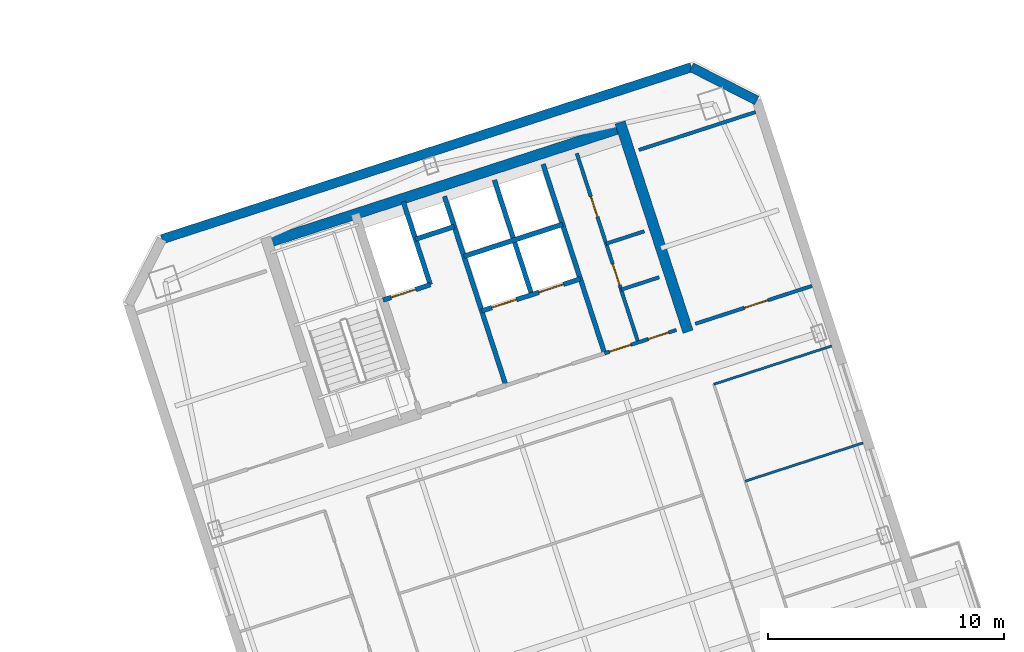
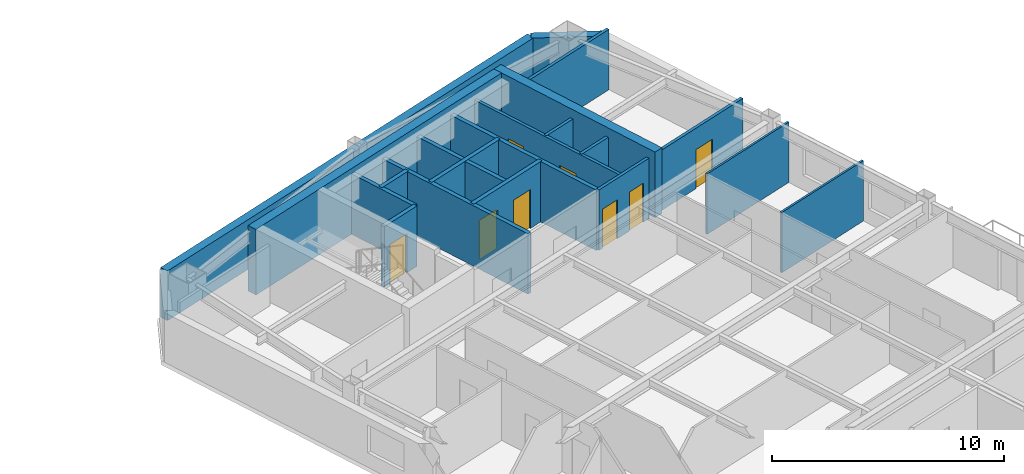
# One storey, part 10 of 15: 20 walls, 8 doors, 8 openings.
"""IFC4 building model written with IfcOpenShell, lengths in metres."""

from ifc_helpers import new_model, si_unit, direction, frame, frame_2d, origin, place, context, subcontext, project, spatial, rectangle, extrude, material, layer, layer_set, type_object, element, fill, save


model = new_model("IFC4")

# Units and contexts
model_context = context("Model", 3, precision=1e-05, world=origin(), true_north=direction((0.0, 1.0)))
body_context = subcontext(model_context, "Body", "Model", "MODEL_VIEW")
ifc_project = project(units=[si_unit("LENGTHUNIT", "METRE"), si_unit("AREAUNIT", "SQUARE_METRE"), si_unit("VOLUMEUNIT", "CUBIC_METRE"), si_unit("PLANEANGLEUNIT", "RADIAN"), si_unit("MASSUNIT", "GRAM", prefix="KILO")], contexts=[model_context])

# Site, building, storey
site_placement = place(None, origin())
site = spatial("IfcSite", under=ifc_project, at=site_placement, CompositionType="ELEMENT")
building_placement = place(site_placement, origin())
building = spatial("IfcBuilding", under=site, at=building_placement, Name="Qiaolan Cultural Towers", CompositionType="ELEMENT")
storey_placement = place(building_placement, frame((0.0, 0.0, 209.300048828125)))
storey = spatial("IfcBuildingStorey", under=building, at=storey_placement, Name="L56", CompositionType="ELEMENT", Elevation=209.300048828125)

# Walls
ifc_material_1 = material(Name="Concrete C50", Category="concrete")
ifc_layer_1 = layer(ifc_material_1, 0.449951171875)
ifc_layer_set_1 = layer_set([ifc_layer_1], Name="Concrete C50")
wall_type_1 = type_object("IfcWallType", Name="WL-CORE-450", PredefinedType="SHEAR", material=ifc_layer_set_1)
wall_1_placement = place(storey_placement, frame((76.414794921875, 50.489013671875, 0.0), z_axis=(0.0, 0.0, 1.0), x_axis=(0.951056810414, 0.309016089169, 0.0)))
element("IfcWall", 1, at=wall_1_placement, inside=storey, type_object=wall_type_1, Name="L56 T2-CN Outer Core Shear Wall", PredefinedType="SHEAR", context=body_context, shape_type="SweptSolid", body=[
    extrude(rectangle(XDim=16.25, YDim=0.449951171875, at=frame_2d((8.125, 0.0))), origin(), (0.0, 0.0, 1.0), 3.449951171875),
])
wall_2_placement = place(storey_placement, frame((94.468994140625, 46.781494140625, 0.0), z_axis=(0.0, 0.0, 1.0), x_axis=(-0.309004419953, 0.951060601881, 0.0)))
element("IfcWall", 2, at=wall_2_placement, inside=storey, type_object=wall_type_1, Name="L56 T2-CN East Core Shear Wall", PredefinedType="SHEAR", context=body_context, shape_type="SweptSolid", body=[
    extrude(rectangle(XDim=9.330078125, YDim=0.449951171875, at=frame_2d((4.6650390625, 0.0))), origin(), (0.0, 0.0, 1.0), 3.449951171875),
])
ifc_material_2 = material(Name="Precast Concrete C50 Honed Stone Pier", Category="masonry")
ifc_layer_2 = layer(ifc_material_2, 0.39990234375)
ifc_layer_set_2 = layer_set([ifc_layer_2], Name="Precast Concrete C50 Honed Stone Pier")
wall_type_2 = type_object("IfcWallType", Name="WL-EXT-PIER-400", PredefinedType="SOLIDWALL", material=ifc_layer_set_2)
wall_3_placement = place(storey_placement, frame((72.16455078125, 50.706298828125, 0.0), z_axis=(0.0, 0.0, 1.0), x_axis=(0.951058012937, 0.309012388148, 0.0)))
element("IfcWall", 3, at=wall_3_placement, inside=storey, type_object=wall_type_2, Name="L56 East Tower Precast Pier Facade Wall F3", PredefinedType="SOLIDWALL", context=body_context, shape_type="SweptSolid", body=[
    extrude(rectangle(XDim=23.60009765625, YDim=0.39990234375, at=frame_2d((11.800048828125, 0.0))), origin(), (0.0, 0.0, 1.0), 2.60986328125),
])
wall_4_placement = place(storey_placement, frame((94.609619140625, 57.9990234375, 0.0), z_axis=(0.0, 0.0, 1.0), x_axis=(0.890979603174, -0.454043331334, 0.0)))
element("IfcWall", 4, at=wall_4_placement, inside=storey, type_object=wall_type_2, Name="L56 East Tower Precast Pier Facade Wall F4", PredefinedType="SOLIDWALL", context=body_context, shape_type="SweptSolid", body=[
    extrude(rectangle(XDim=3.111083984375, YDim=0.39990234375, at=frame_2d((1.5556640625, 0.0))), origin(), (0.0, 0.0, 1.0), 2.60986328125),
])
ifc_material_3 = material(Name="Concrete C35 Fire Wall", Category="concrete")
ifc_layer_3 = layer(ifc_material_3, 0.199951171875)
ifc_layer_set_3 = layer_set([ifc_layer_3], Name="Concrete C35 Fire Wall")
wall_type_3 = type_object("IfcWallType", Name="WL-FIRE-200", PredefinedType="PARTITIONING", material=ifc_layer_set_3)
wall_5_placement = place(storey_placement, frame((86.743408203125, 44.508056640625, 0.0), z_axis=(0.0, 0.0, 1.0), x_axis=(-0.309016001439, 0.951056838919, 0.0)))
element("IfcWall", 5, at=wall_5_placement, inside=storey, type_object=wall_type_3, Name="L56 T2-CN Firefighting Zone Wall", PredefinedType="PARTITIONING", context=body_context, shape_type="SweptSolid", body=[
    extrude(rectangle(XDim=8.429931640625, YDim=0.199951171875, at=frame_2d((4.21484375, 0.0))), origin(), (0.0, 0.0, 1.0), 3.175048828125),
])

# Wall, opening, door
wall_6_placement = place(storey_placement, frame((81.540283203125, 48.127197265625, 0.0), z_axis=(0.0, 0.0, 1.0), x_axis=(0.951062257173, 0.308999325213, 0.0)))
wall_6 = element("IfcWall", 6, at=wall_6_placement, inside=storey, type_object=wall_type_3, Name="L56 T2-CN Firefighting Shaft Front Wall", PredefinedType="PARTITIONING", context=body_context, shape_type="SweptSolid", body=[
    extrude(rectangle(XDim=2.10009765625, YDim=0.199951171875, at=frame_2d((1.050048828125, 0.0))), origin(), (0.0, 0.0, 1.0), 3.175048828125),
])
opening_1_placement = place(wall_6_placement, frame((0.35009765625, 0.0, 0.0)))
opening_1 = element("IfcOpeningElement", 7, at=opening_1_placement, cuts=wall_6, Name="Opening LD-01", PredefinedType="OPENING", context=body_context, shape_type="SweptSolid", body=[
    extrude(rectangle(XDim=1.10009765625, YDim=2.050048828125, at=frame_2d((0.550048828125, 1.02490234375))), frame((0.0, 0.10986328125, 0.0), z_axis=(0.0, -1.0, 0.0), x_axis=(1.0, 0.0, 0.0)), (0.0, 0.0, 1.0), 0.219970703125),
])
ifc_material_4 = material(Name="Brushed Stainless Steel S30408 Centre-Parting Lift Landing Door", Category="steel")
door_type_1 = type_object("IfcDoorType", Name="DR-LIFT-1100", OperationType="NOTDEFINED", PredefinedType="DOOR", material=ifc_material_4)
door_1_placement = place(opening_1_placement, origin())
door_1 = element("IfcDoor", 8, at=door_1_placement, inside=storey, type_object=door_type_1, Name="L56 FFL-E2 Firefighting Lift Landing Door", OperationType="DOUBLE_DOOR_SLIDING", OverallHeight=2.050048828125, OverallWidth=1.10009765625, PredefinedType="DOOR", context=body_context, shape_type="SweptSolid", body=[
    extrude(rectangle(XDim=1.10009765625, YDim=2.050048828125, at=frame_2d((0.550048828125, 1.02490234375))), frame((0.0, 0.02490234375, 0.0), z_axis=(0.0, -1.0, 0.0), x_axis=(1.0, 0.0, 0.0)), (0.0, 0.0, 1.0), 0.050048828125),
])
fill(opening_1, door_1)

# Walls
wall_7_placement = place(storey_placement, frame((83.53759765625, 48.776123046875, 0.0), z_axis=(0.0, 0.0, 1.0), x_axis=(-0.3089935693, 0.951064127245, 0.0)))
element("IfcWall", 9, at=wall_7_placement, inside=storey, type_object=wall_type_3, Name="L56 T2-CN Firefighting Hoistway East Wall", PredefinedType="PARTITIONING", context=body_context, shape_type="SweptSolid", body=[
    extrude(rectangle(XDim=3.7001953125, YDim=0.199951171875, at=frame_2d((1.85009765625, 0.0))), origin(), (0.0, 0.0, 1.0), 3.175048828125),
])
wall_8_placement = place(storey_placement, frame((82.910400390625, 50.706787109375, 0.0), z_axis=(0.0, 0.0, 1.0), x_axis=(0.951041328149, 0.309063734775, 0.0)))
element("IfcWall", 10, at=wall_8_placement, inside=storey, type_object=wall_type_3, Name="L56 T2-CN Pressurization Shaft Front Wall", PredefinedType="PARTITIONING", context=body_context, shape_type="SweptSolid", body=[
    extrude(rectangle(XDim=1.72998046875, YDim=0.199951171875, at=frame_2d((0.864990234375, 0.0))), origin(), (0.0, 0.0, 1.0), 3.175048828125),
])
wall_9_placement = place(storey_placement, frame((90.92822265625, 45.86767578125, 0.0), z_axis=(0.0, 0.0, 1.0), x_axis=(-0.309042196757, 0.951048327176, 0.0)))
element("IfcWall", 11, at=wall_9_placement, inside=storey, type_object=wall_type_3, Name="L56 T2-CN Lift Core East Wall", PredefinedType="PARTITIONING", context=body_context, shape_type="SweptSolid", body=[
    extrude(rectangle(XDim=8.429931640625, YDim=0.199951171875, at=frame_2d((4.21484375, 0.0))), origin(), (0.0, 0.0, 1.0), 3.175048828125),
])

# Wall, openings, doors
wall_10_placement = place(storey_placement, frame((85.717529296875, 47.66552734375, 0.0), z_axis=(0.0, 0.0, 1.0), x_axis=(0.951058531764, 0.30901079133, 0.0)))
wall_10 = element("IfcWall", 12, at=wall_10_placement, inside=storey, type_object=wall_type_3, Name="L56 T2-CN Passenger Lift Shaft Front Wall", PredefinedType="PARTITIONING", context=body_context, shape_type="SweptSolid", body=[
    extrude(rectangle(XDim=4.39990234375, YDim=0.199951171875, at=frame_2d((2.199951171875, 0.0))), origin(), (0.0, 0.0, 1.0), 3.175048828125),
])
opening_2_placement = place(wall_10_placement, frame((0.449951171875, 0.0, 0.0)))
opening_2 = element("IfcOpeningElement", 13, at=opening_2_placement, cuts=wall_10, Name="Opening LD-01", PredefinedType="OPENING", context=body_context, shape_type="SweptSolid", body=[
    extrude(rectangle(XDim=1.10009765625, YDim=2.050048828125, at=frame_2d((0.550048828125, 1.02490234375))), frame((0.0, 0.10986328125, 0.0), z_axis=(0.0, -1.0, 0.0), x_axis=(1.0, 0.0, 0.0)), (0.0, 0.0, 1.0), 0.219970703125),
])
opening_3_placement = place(wall_10_placement, frame((2.550048828125, 0.0, 0.0)))
opening_3 = element("IfcOpeningElement", 14, at=opening_3_placement, cuts=wall_10, Name="Opening LD-01", PredefinedType="OPENING", context=body_context, shape_type="SweptSolid", body=[
    extrude(rectangle(XDim=1.10009765625, YDim=2.050048828125, at=frame_2d((0.550048828125, 1.02490234375))), frame((0.0, 0.10986328125, 0.0), z_axis=(0.0, -1.0, 0.0), x_axis=(1.0, 0.0, 0.0)), (0.0, 0.0, 1.0), 0.219970703125),
])
door_2_placement = place(opening_2_placement, origin())
door_2 = element("IfcDoor", 15, at=door_2_placement, inside=storey, type_object=door_type_1, Name="L56 Passenger Lift 1 Landing Door", OperationType="DOUBLE_DOOR_SLIDING", OverallHeight=2.050048828125, OverallWidth=1.10009765625, PredefinedType="DOOR", context=body_context, shape_type="SweptSolid", body=[
    extrude(rectangle(XDim=1.10009765625, YDim=2.050048828125, at=frame_2d((0.550048828125, 1.02490234375))), frame((0.0, 0.02490234375, 0.0), z_axis=(0.0, -1.0, 0.0), x_axis=(1.0, 0.0, 0.0)), (0.0, 0.0, 1.0), 0.050048828125),
])
fill(opening_2, door_2)
door_3_placement = place(opening_3_placement, origin())
door_3 = element("IfcDoor", 16, at=door_3_placement, inside=storey, type_object=door_type_1, Name="L56 Passenger Lift 2 Landing Door", OperationType="DOUBLE_DOOR_SLIDING", OverallHeight=2.050048828125, OverallWidth=1.10009765625, PredefinedType="DOOR", context=body_context, shape_type="SweptSolid", body=[
    extrude(rectangle(XDim=1.10009765625, YDim=2.050048828125, at=frame_2d((0.550048828125, 1.02490234375))), frame((0.0, 0.02490234375, 0.0), z_axis=(0.0, -1.0, 0.0), x_axis=(1.0, 0.0, 0.0)), (0.0, 0.0, 1.0), 0.050048828125),
])
fill(opening_3, door_3)

# Walls
wall_11_placement = place(storey_placement, frame((87.83837890625, 48.3544921875, 0.0), z_axis=(0.0, 0.0, 1.0), x_axis=(-0.3090093719, 0.951058992953, 0.0)))
element("IfcWall", 17, at=wall_11_placement, inside=storey, type_object=wall_type_3, Name="L56 T2-CN Lift Shaft Divider Wall", PredefinedType="PARTITIONING", context=body_context, shape_type="SweptSolid", body=[
    extrude(rectangle(XDim=5.110107421875, YDim=0.199951171875, at=frame_2d((2.55517578125, 0.0))), origin(), (0.0, 0.0, 1.0), 3.175048828125),
])
wall_12_placement = place(storey_placement, frame((84.966552734375, 49.9765625, 0.0), z_axis=(0.0, 0.0, 1.0), x_axis=(0.951063829732, 0.308994485023, 0.0)))
element("IfcWall", 18, at=wall_12_placement, inside=storey, type_object=wall_type_3, Name="L56 T2-CN Passenger Lift Shaft Back Wall", PredefinedType="PARTITIONING", context=body_context, shape_type="SweptSolid", body=[
    extrude(rectangle(XDim=4.400146484375, YDim=0.199951171875, at=frame_2d((2.2001953125, 0.0))), origin(), (0.0, 0.0, 1.0), 3.175048828125),
])
ifc_material_5 = material(Name="Acoustic Double-Glazed Partition Frame", Category="glass")
ifc_layer_4 = layer(ifc_material_5, 0.10009765625)
ifc_layer_set_4 = layer_set([ifc_layer_4], Name="Acoustic Double-Glazed Partition Frame")
wall_type_4 = type_object("IfcWallType", Name="WL-GLAZED-100", PredefinedType="MOVABLE", material=ifc_layer_set_4)
for number, where, z_axis, x_axis, name in (
    (19, (95.560546875, 44.554931640625, 0.0), (0.0, 0.0, 1.0), (0.951055596592, 0.309019824916, 0.0), "L56 T2 Interior Wall"),
    (20, (96.8955078125, 40.4462890625, 0.0), (0.0, 0.0, 1.0), (0.951055596592, 0.309019824916, 0.0), "L56 T2 Interior Wall"),
):
    element("IfcWall", number, at=place(storey_placement, frame(where, z_axis=z_axis, x_axis=x_axis)), inside=storey, type_object=wall_type_4, Name=name, PredefinedType="MOVABLE", context=body_context, shape_type="SweptSolid", body=[
        extrude(rectangle(XDim=5.249755859375, YDim=0.10009765625, at=frame_2d((2.625, 0.0))), origin(), (0.0, 0.0, 1.0), 3.175048828125),
    ])

# Wall, openings, doors
ifc_material_6 = material(Name="Autoclaved Aerated Concrete Block B06", Category="concrete")
ifc_layer_5 = layer(ifc_material_6, 0.14990234375)
ifc_layer_set_5 = layer_set([ifc_layer_5], Name="Autoclaved Aerated Concrete Block B06")
wall_type_5 = type_object("IfcWallType", Name="WL-PART-150", PredefinedType="PARTITIONING", material=ifc_layer_set_5)
wall_13_placement = place(storey_placement, frame((90.92822265625, 45.86767578125, 0.0), z_axis=(0.0, 0.0, 1.0), x_axis=(0.951059297078, 0.309008435874, 0.0)))
wall_13 = element("IfcWall", 21, at=wall_13_placement, inside=storey, type_object=wall_type_5, Name="L56 T2-CN Sanitary Core Front Wall", PredefinedType="PARTITIONING", context=body_context, shape_type="SweptSolid", body=[
    extrude(rectangle(XDim=3.19970703125, YDim=0.14990234375, at=frame_2d((1.599853515625, 0.0))), origin(), (0.0, 0.0, 1.0), 3.175048828125),
])
opening_4_placement = place(wall_13_placement, frame((0.219970703125, 0.0, 0.0)))
opening_4 = element("IfcOpeningElement", 22, at=opening_4_placement, cuts=wall_13, Name="Opening ID-05", PredefinedType="OPENING", context=body_context, shape_type="SweptSolid", body=[
    extrude(rectangle(XDim=0.949951171875, YDim=2.050048828125, at=frame_2d((0.47509765625, 1.02490234375))), frame((0.0, 0.0849609375, 0.0), z_axis=(0.0, -1.0, 0.0), x_axis=(1.0, 0.0, 0.0)), (0.0, 0.0, 1.0), 0.169921875),
])
opening_5_placement = place(wall_13_placement, frame((1.949951171875, 0.0, 0.0)))
opening_5 = element("IfcOpeningElement", 23, at=opening_5_placement, cuts=wall_13, Name="Opening ID-06", PredefinedType="OPENING", context=body_context, shape_type="SweptSolid", body=[
    extrude(rectangle(XDim=0.89990234375, YDim=2.050048828125, at=frame_2d((0.449951171875, 1.02490234375))), frame((0.0, 0.0849609375, 0.0), z_axis=(0.0, -1.0, 0.0), x_axis=(1.0, 0.0, 0.0)), (0.0, 0.0, 1.0), 0.169921875),
])
ifc_material_7 = material(Name="Fire-Rated Laminate Core Service Door", Category="timber")
door_type_2 = type_object("IfcDoorType", Name="DR-INT-900", OperationType="NOTDEFINED", PredefinedType="DOOR", material=ifc_material_7)
door_4_placement = place(opening_5_placement, origin())
door_4 = element("IfcDoor", 24, at=door_4_placement, inside=storey, type_object=door_type_2, Name="L56 Core Tea Pantry Door", OperationType="SINGLE_SWING_RIGHT", OverallHeight=2.050048828125, OverallWidth=0.89990234375, PredefinedType="DOOR", context=body_context, shape_type="SweptSolid", body=[
    extrude(rectangle(XDim=0.89990234375, YDim=2.050048828125, at=frame_2d((0.449951171875, 1.02490234375))), frame((0.0, 0.02490234375, 0.0), z_axis=(0.0, -1.0, 0.0), x_axis=(1.0, 0.0, 0.0)), (0.0, 0.0, 1.0), 0.050048828125),
])
fill(opening_5, door_4)
ifc_material_8 = material(Name="Fire-Rated Laminate Accessible Core Door", Category="timber")
door_type_3 = type_object("IfcDoorType", Name="DR-INT-950", OperationType="NOTDEFINED", PredefinedType="DOOR", material=ifc_material_8)
door_5_placement = place(opening_4_placement, origin())
door_5 = element("IfcDoor", 25, at=door_5_placement, inside=storey, type_object=door_type_3, Name="L56 Sanitary Passage Door", OperationType="SINGLE_SWING_LEFT", OverallHeight=2.050048828125, OverallWidth=0.949951171875, PredefinedType="DOOR", context=body_context, shape_type="SweptSolid", body=[
    extrude(rectangle(XDim=0.949951171875, YDim=2.050048828125, at=frame_2d((0.47509765625, 1.02490234375))), frame((0.0, 0.02490234375, 0.0), z_axis=(0.0, -1.0, 0.0), x_axis=(1.0, 0.0, 0.0)), (0.0, 0.0, 1.0), 0.050048828125),
])
fill(opening_4, door_5)

wall_14_placement = place(storey_placement, frame((92.354736328125, 46.3310546875, 0.0), z_axis=(0.0, 0.0, 1.0), x_axis=(-0.309007490203, 0.951059604335, 0.0)))
wall_14 = element("IfcWall", 26, at=wall_14_placement, inside=storey, type_object=wall_type_5, Name="L56 T2-CN Sanitary Corridor Wall", PredefinedType="PARTITIONING", context=body_context, shape_type="SweptSolid", body=[
    extrude(rectangle(XDim=8.43017578125, YDim=0.14990234375, at=frame_2d((4.215087890625, 0.0))), origin(), (0.0, 0.0, 1.0), 3.175048828125),
])
opening_6_placement = place(wall_14_placement, frame((2.550048828125, 0.0, 0.0)))
opening_6 = element("IfcOpeningElement", 27, at=opening_6_placement, cuts=wall_14, Name="Opening ID-05", PredefinedType="OPENING", context=body_context, shape_type="SweptSolid", body=[
    extrude(rectangle(XDim=0.949951171875, YDim=2.050048828125, at=frame_2d((0.47509765625, 1.02490234375))), frame((0.0, 0.0849609375, 0.0), z_axis=(0.0, -1.0, 0.0), x_axis=(1.0, 0.0, 0.0)), (0.0, 0.0, 1.0), 0.169921875),
])
opening_7_placement = place(wall_14_placement, frame((5.60009765625, 0.0, 0.0)))
opening_7 = element("IfcOpeningElement", 28, at=opening_7_placement, cuts=wall_14, Name="Opening ID-06", PredefinedType="OPENING", context=body_context, shape_type="SweptSolid", body=[
    extrude(rectangle(XDim=0.89990234375, YDim=2.050048828125, at=frame_2d((0.449951171875, 1.02490234375))), frame((0.0, 0.0849609375, 0.0), z_axis=(0.0, -1.0, 0.0), x_axis=(1.0, 0.0, 0.0)), (0.0, 0.0, 1.0), 0.169921875),
])
door_6_placement = place(opening_7_placement, origin())
door_6 = element("IfcDoor", 29, at=door_6_placement, inside=storey, type_object=door_type_2, Name="L56 Staff Restroom Door", OperationType="SINGLE_SWING_RIGHT", OverallHeight=2.050048828125, OverallWidth=0.89990234375, PredefinedType="DOOR", context=body_context, shape_type="SweptSolid", body=[
    extrude(rectangle(XDim=0.89990234375, YDim=2.050048828125, at=frame_2d((0.449951171875, 1.02490234375))), frame((0.0, 0.02490234375, 0.0), z_axis=(0.0, -1.0, 0.0), x_axis=(1.0, 0.0, 0.0)), (0.0, 0.0, 1.0), 0.050048828125),
])
fill(opening_7, door_6)
door_7_placement = place(opening_6_placement, origin())
door_7 = element("IfcDoor", 30, at=door_7_placement, inside=storey, type_object=door_type_3, Name="L56 Accessible Washroom Door", OperationType="SINGLE_SWING_LEFT", OverallHeight=2.050048828125, OverallWidth=0.949951171875, PredefinedType="DOOR", context=body_context, shape_type="SweptSolid", body=[
    extrude(rectangle(XDim=0.949951171875, YDim=2.050048828125, at=frame_2d((0.47509765625, 1.02490234375))), frame((0.0, 0.02490234375, 0.0), z_axis=(0.0, -1.0, 0.0), x_axis=(1.0, 0.0, 0.0)), (0.0, 0.0, 1.0), 0.050048828125),
])
fill(opening_6, door_7)

# Walls
wall_15_placement = place(storey_placement, frame((90.9951171875, 50.515869140625, 0.0), z_axis=(0.0, 0.0, 1.0), x_axis=(0.951040401051, 0.309066587596, 0.0)))
element("IfcWall", 31, at=wall_15_placement, inside=storey, type_object=wall_type_5, Name="L56 T2-CN Restroom Split Wall", PredefinedType="PARTITIONING", context=body_context, shape_type="SweptSolid", body=[
    extrude(rectangle(XDim=1.699951171875, YDim=0.14990234375, at=frame_2d((0.85009765625, 0.0))), origin(), (0.0, 0.0, 1.0), 3.175048828125),
])
wall_16_placement = place(storey_placement, frame((91.62841796875, 48.566162109375, 0.0), z_axis=(0.0, 0.0, 1.0), x_axis=(0.951054116971, 0.309024378638, 0.0)))
element("IfcWall", 32, at=wall_16_placement, inside=storey, type_object=wall_type_5, Name="L56 T2-CN Core Pantry Wall", PredefinedType="PARTITIONING", context=body_context, shape_type="SweptSolid", body=[
    extrude(rectangle(XDim=1.7001953125, YDim=0.14990234375, at=frame_2d((0.85009765625, 0.0))), origin(), (0.0, 0.0, 1.0), 3.175048828125),
])
wall_17_placement = place(storey_placement, frame((92.385009765625, 54.48974609375, 0.0), z_axis=(0.0, 0.0, 1.0), x_axis=(0.951055112834, 0.309021313752, 0.0)))
element("IfcWall", 33, at=wall_17_placement, inside=storey, type_object=wall_type_5, Name="L56 T2 Flank Wall FLK-NE", PredefinedType="PARTITIONING", context=body_context, shape_type="SweptSolid", body=[
    extrude(rectangle(XDim=5.2001953125, YDim=0.14990234375, at=frame_2d((2.60009765625, 0.0))), origin(), (0.0, 0.0, 1.0), 3.175048828125),
])

# Wall, opening, door
wall_18_placement = place(storey_placement, frame((94.77978515625, 47.119140625, 0.0), z_axis=(0.0, 0.0, 1.0), x_axis=(0.951055112834, 0.309021313752, 0.0)))
wall_18 = element("IfcWall", 34, at=wall_18_placement, inside=storey, type_object=wall_type_5, Name="L56 T2 Flank Front FLK-NE", PredefinedType="PARTITIONING", context=body_context, shape_type="SweptSolid", body=[
    extrude(rectangle(XDim=5.2001953125, YDim=0.14990234375, at=frame_2d((2.60009765625, 0.0))), origin(), (0.0, 0.0, 1.0), 3.175048828125),
])
opening_8_placement = place(wall_18_placement, frame((2.18408203125, 0.0, 0.0)))
opening_8 = element("IfcOpeningElement", 35, at=opening_8_placement, cuts=wall_18, Name="Opening ID-07", PredefinedType="OPENING", context=body_context, shape_type="SweptSolid", body=[
    extrude(rectangle(XDim=1.050048828125, YDim=2.050048828125, at=frame_2d((0.52490234375, 1.02490234375))), frame((0.0, 0.0849609375, 0.0), z_axis=(0.0, -1.0, 0.0), x_axis=(1.0, 0.0, 0.0)), (0.0, 0.0, 1.0), 0.169921875),
])
ifc_material_9 = material(Name="Oak Veneer Consultation Door", Category="timber")
door_type_4 = type_object("IfcDoorType", Name="DR-INT-1050", OperationType="NOTDEFINED", PredefinedType="DOOR", material=ifc_material_9)
door_8_placement = place(opening_8_placement, origin())
door_8 = element("IfcDoor", 36, at=door_8_placement, inside=storey, type_object=door_type_4, Name="L56 T2 Corner Studio Door", OperationType="SINGLE_SWING_LEFT", OverallHeight=2.050048828125, OverallWidth=1.050048828125, PredefinedType="DOOR", context=body_context, shape_type="SweptSolid", body=[
    extrude(rectangle(XDim=1.050048828125, YDim=2.050048828125, at=frame_2d((0.52490234375, 1.02490234375))), frame((0.0, 0.02490234375, 0.0), z_axis=(0.0, -1.0, 0.0), x_axis=(1.0, 0.0, 0.0)), (0.0, 0.0, 1.0), 0.050048828125),
])
fill(opening_8, door_8)

save(model, "model.ifc")
